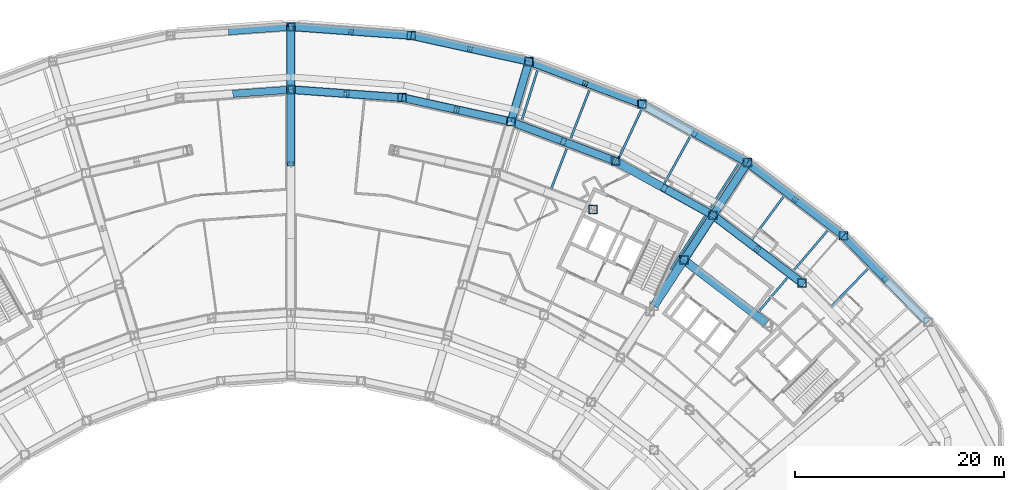
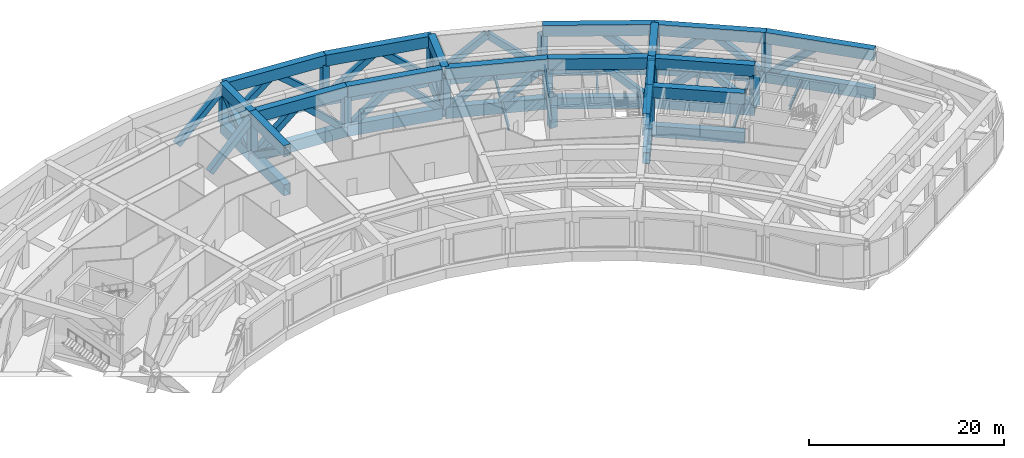
# One storey, part 7 of 30: 46 beams, 40 members.
"""IFC4 building model written with IfcOpenShell, lengths in metres."""

from ifc_helpers import new_model, si_unit, direction, frame, origin, origin_2d, place, context, subcontext, project, spatial, hollow_rectangle, i_section, extrude, material, material_profile, profile_set, type_object, element, save


model = new_model("IFC4")

# Units and contexts
model_context = context("Model", 3, precision=1e-05, world=origin(), true_north=direction((0.0, 1.0)))
body_context = subcontext(model_context, "Body", "Model", "MODEL_VIEW")
ifc_project = project(units=[si_unit("LENGTHUNIT", "METRE"), si_unit("AREAUNIT", "SQUARE_METRE"), si_unit("VOLUMEUNIT", "CUBIC_METRE"), si_unit("PLANEANGLEUNIT", "RADIAN"), si_unit("MASSUNIT", "GRAM", prefix="KILO")], contexts=[model_context])

# Site, building, storey
site_placement = place(None, origin())
site = spatial("IfcSite", under=ifc_project, at=site_placement, CompositionType="ELEMENT")
building_placement = place(site_placement, origin())
building = spatial("IfcBuilding", under=site, at=building_placement, Name="Tuul Gate Civic Tower", CompositionType="ELEMENT")
storey_placement = place(building_placement, frame((0.0, 0.0, 26.699951171875)))
storey = spatial("IfcBuildingStorey", under=building, at=storey_placement, Name="Plant and refuge floor 1", CompositionType="ELEMENT", Elevation=26.699951171875)

# Beams
ifc_material_1 = material(Name="Steel S355", Category="steel")
ifc_material_profile_1 = material_profile(ifc_material_1, i_section(OverallWidth=0.199951171875, OverallDepth=0.5, WebThickness=0.010009765625, FlangeThickness=0.01611328125, at=origin_2d()), Name="PG500x200x10x16")
ifc_profile_set_1 = profile_set([ifc_material_profile_1], Name="Steel S355")
beam_type_1 = type_object("IfcBeamType", Name="STR-FLOOR BEAM-PG500x200x10x16", PredefinedType="BEAM", material=ifc_profile_set_1)
beam_1_placement = place(storey_placement, frame((51.658935546875, -6.90869140625, -0.64990234375), z_axis=(0.697368388305, 0.716712865095, 0.0), x_axis=(-0.716712865095, 0.697368388305, 0.0)))
element("IfcBeam", 1, at=beam_1_placement, inside=storey, type_object=beam_type_1, Name="Floor beam", PredefinedType="BEAM", context=body_context, shape_type="SweptSolid", body=[
    extrude(i_section(OverallWidth=0.199951171875, OverallDepth=0.5, WebThickness=0.010009765625, FlangeThickness=0.01611328125, at=origin_2d()), origin(), (0.0, 0.0, 1.0), 5.30078125),
])
beam_2_placement = place(storey_placement, frame((44.730224609375, -7.3896484375, -0.64990234375), z_axis=(0.647711132398, 0.761886007857, 0.0), x_axis=(-0.761886007857, 0.647711132398, 0.0)))
element("IfcBeam", 2, at=beam_2_placement, inside=storey, type_object=beam_type_1, Name="Floor beam", PredefinedType="BEAM", context=body_context, shape_type="SweptSolid", body=[
    extrude(i_section(OverallWidth=0.199951171875, OverallDepth=0.5, WebThickness=0.010009765625, FlangeThickness=0.01611328125, at=origin_2d()), origin(), (0.0, 0.0, 1.0), 4.406982421875),
])
beam_3_placement = place(storey_placement, frame((48.038818359375, -3.498046875, -0.64990234375), z_axis=(0.647732544888, 0.761867803686, 0.0), x_axis=(-0.761867803686, 0.647732544888, 0.0)))
element("IfcBeam", 3, at=beam_3_placement, inside=storey, type_object=beam_type_1, Name="Floor beam", PredefinedType="BEAM", context=body_context, shape_type="SweptSolid", body=[
    extrude(i_section(OverallWidth=0.199951171875, OverallDepth=0.5, WebThickness=0.010009765625, FlangeThickness=0.01611328125, at=origin_2d()), origin(), (0.0, 0.0, 1.0), 5.306884765625),
])
beam_4_placement = place(storey_placement, frame((44.08154296875, -0.4853515625, -0.64990234375), z_axis=(0.595191196692, 0.803584120911, 0.0), x_axis=(-0.803584120911, 0.595191196692, 0.0)))
element("IfcBeam", 4, at=beam_4_placement, inside=storey, type_object=beam_type_1, Name="Floor beam", PredefinedType="BEAM", context=body_context, shape_type="SweptSolid", body=[
    extrude(i_section(OverallWidth=0.199951171875, OverallDepth=0.5, WebThickness=0.010009765625, FlangeThickness=0.01611328125, at=origin_2d()), origin(), (0.0, 0.0, 1.0), 5.300048828125),
])
beam_5_placement = place(storey_placement, frame((36.356201171875, -3.329833984375, -0.64990234375), z_axis=(0.539994315746, 0.841668663407, 0.0), x_axis=(-0.841668663407, 0.539994315746, 0.0)))
element("IfcBeam", 5, at=beam_5_placement, inside=storey, type_object=beam_type_1, Name="Floor beam", PredefinedType="BEAM", context=body_context, shape_type="SweptSolid", body=[
    extrude(i_section(OverallWidth=0.199951171875, OverallDepth=0.5, WebThickness=0.010009765625, FlangeThickness=0.01611328125, at=origin_2d()), origin(), (0.0, 0.0, 1.0), 6.17724609375),
])
beam_6_placement = place(storey_placement, frame((40.070556640625, 2.4599609375, -0.64990234375), z_axis=(0.539974357861, 0.841681467571, 0.0), x_axis=(-0.841681467571, 0.539974357861, 0.0)))
element("IfcBeam", 6, at=beam_6_placement, inside=storey, type_object=beam_type_1, Name="Floor beam", PredefinedType="BEAM", context=body_context, shape_type="SweptSolid", body=[
    extrude(i_section(OverallWidth=0.199951171875, OverallDepth=0.5, WebThickness=0.010009765625, FlangeThickness=0.01611328125, at=origin_2d()), origin(), (0.0, 0.0, 1.0), 5.310791015625),
])
beam_7_placement = place(storey_placement, frame((35.71826171875, 4.872314453125, -0.64990234375), z_axis=(0.482330703826, 0.87598920778, 0.0), x_axis=(-0.87598920778, 0.482330703826, 0.0)))
element("IfcBeam", 7, at=beam_7_placement, inside=storey, type_object=beam_type_1, Name="Floor beam", PredefinedType="BEAM", context=body_context, shape_type="SweptSolid", body=[
    extrude(i_section(OverallWidth=0.199951171875, OverallDepth=0.5, WebThickness=0.010009765625, FlangeThickness=0.01611328125, at=origin_2d()), origin(), (0.0, 0.0, 1.0), 5.300048828125),
])
beam_8_placement = place(storey_placement, frame((31.3642578125, 7.28564453125, -0.64990234375), z_axis=(0.422508103945, 0.90635914631, 0.0), x_axis=(-0.90635914631, 0.422508103945, 0.0)))
element("IfcBeam", 8, at=beam_8_placement, inside=storey, type_object=beam_type_1, Name="Floor beam", PredefinedType="BEAM", context=body_context, shape_type="SweptSolid", body=[
    extrude(i_section(OverallWidth=0.199951171875, OverallDepth=0.5, WebThickness=0.010009765625, FlangeThickness=0.01611328125, at=origin_2d()), origin(), (0.0, 0.0, 1.0), 5.313232421875),
])
beam_9_placement = place(storey_placement, frame((24.877197265625, 4.3134765625, -0.64990234375), z_axis=(0.36076682718, 0.932656043998, 0.0), x_axis=(-0.932656043998, 0.36076682718, 0.0)))
element("IfcBeam", 9, at=beam_9_placement, inside=storey, type_object=beam_type_1, Name="Floor beam", PredefinedType="BEAM", context=body_context, shape_type="SweptSolid", body=[
    extrude(i_section(OverallWidth=0.199951171875, OverallDepth=0.5, WebThickness=0.010009765625, FlangeThickness=0.01611328125, at=origin_2d()), origin(), (0.0, 0.0, 1.0), 4.400146484375),
])
beam_10_placement = place(storey_placement, frame((26.717041015625, 9.070068359375, -0.64990234375), z_axis=(0.360796386146, 0.932644609561, 0.0), x_axis=(-0.932644609561, 0.360796386146, 0.0)))
element("IfcBeam", 10, at=beam_10_placement, inside=storey, type_object=beam_type_1, Name="Floor beam", PredefinedType="BEAM", context=body_context, shape_type="SweptSolid", body=[
    extrude(i_section(OverallWidth=0.199951171875, OverallDepth=0.5, WebThickness=0.010009765625, FlangeThickness=0.01611328125, at=origin_2d()), origin(), (0.0, 0.0, 1.0), 5.30029296875),
])
beam_11_placement = place(storey_placement, frame((22.06396484375, 10.829833984375, -0.64990234375), z_axis=(0.29741870378, 0.954747146967, 0.0), x_axis=(-0.954747146967, 0.29741870378, 0.0)))
element("IfcBeam", 11, at=beam_11_placement, inside=storey, type_object=beam_type_1, Name="Floor beam", PredefinedType="BEAM", context=body_context, shape_type="SweptSolid", body=[
    extrude(i_section(OverallWidth=0.199951171875, OverallDepth=0.5, WebThickness=0.010009765625, FlangeThickness=0.01611328125, at=origin_2d()), origin(), (0.0, 0.0, 1.0), 5.309326171875),
])
ifc_material_2 = material(Name="Steel S460", Category="steel")
ifc_material_profile_2 = material_profile(ifc_material_2, hollow_rectangle(XDim=0.800048828125, YDim=1.39990234375, WallThickness=0.0400390625, at=origin_2d()), Name="BOX1400x800x40")
ifc_profile_set_2 = profile_set([ifc_material_profile_2], Name="Steel S460")
beam_type_2 = type_object("IfcBeamType", Name="STR-TRANSFER TRUSS CHORD-BOX1400x800x40", PredefinedType="BEAM", material=ifc_profile_set_2)
for number, where, z_axis, x_axis, name in (
    (12, (22.7919921875, 16.594970703125, -1.099853515625), (-0.285183912721, -0.95847281439, 0.0), (0.95847281439, -0.285183912721, 0.0), "Radial truss bottom chord"),
    (13, (22.7919921875, 16.594970703125, 3.800048828125), (-0.285183912721, -0.95847281439, 0.0), (0.95847281439, -0.285183912721, 0.0), "Radial truss top chord"),
):
    element("IfcBeam", number, at=place(storey_placement, frame(where, z_axis=z_axis, x_axis=x_axis)), inside=storey, type_object=beam_type_2, Name=name, PredefinedType="BEAM", context=body_context, shape_type="SweptSolid", body=[
        extrude(hollow_rectangle(XDim=0.800048828125, YDim=1.39990234375, WallThickness=0.0400390625, at=origin_2d()), origin(), (0.0, 0.0, 1.0), 6.015625),
    ])
beam_12_placement = place(storey_placement, frame((0.0, 19.9140625, -1.099853515625), z_axis=(0.0, -1.0, 0.0), x_axis=(1.0, 0.0, 0.0)))
element("IfcBeam", 14, at=beam_12_placement, inside=storey, type_object=beam_type_2, Name="Radial truss bottom chord", PredefinedType="BEAM", context=body_context, shape_type="SweptSolid", body=[
    extrude(hollow_rectangle(XDim=0.800048828125, YDim=1.39990234375, WallThickness=0.0400390625, at=origin_2d()), origin(), (0.0, 0.0, 1.0), 6.01611328125),
])
beam_13_placement = place(storey_placement, frame((0.0, 13.89794921875, -1.099853515625), z_axis=(0.0, -1.0, 0.0), x_axis=(1.0, 0.0, 0.0)))
element("IfcBeam", 15, at=beam_13_placement, inside=storey, type_object=beam_type_2, Name="Radial truss bottom chord", PredefinedType="BEAM", context=body_context, shape_type="SweptSolid", body=[
    extrude(hollow_rectangle(XDim=0.800048828125, YDim=1.39990234375, WallThickness=0.0400390625, at=origin_2d()), origin(), (0.0, 0.0, 1.0), 7.1181640625),
])
beam_14_placement = place(storey_placement, frame((0.0, 19.9140625, 3.800048828125), z_axis=(0.0, -1.0, 0.0), x_axis=(1.0, 0.0, 0.0)))
element("IfcBeam", 16, at=beam_14_placement, inside=storey, type_object=beam_type_2, Name="Radial truss top chord", PredefinedType="BEAM", context=body_context, shape_type="SweptSolid", body=[
    extrude(hollow_rectangle(XDim=0.800048828125, YDim=1.39990234375, WallThickness=0.0400390625, at=origin_2d()), origin(), (0.0, 0.0, 1.0), 6.01611328125),
])
beam_15_placement = place(storey_placement, frame((0.0, 13.89794921875, 3.800048828125), z_axis=(0.0, -1.0, 0.0), x_axis=(1.0, 0.0, 0.0)))
element("IfcBeam", 17, at=beam_15_placement, inside=storey, type_object=beam_type_2, Name="Radial truss top chord", PredefinedType="BEAM", context=body_context, shape_type="SweptSolid", body=[
    extrude(hollow_rectangle(XDim=0.800048828125, YDim=1.39990234375, WallThickness=0.0400390625, at=origin_2d()), origin(), (0.0, 0.0, 1.0), 7.1181640625),
])
beam_16_placement = place(storey_placement, frame((43.69091796875, 6.9130859375, -1.099853515625), z_axis=(-0.546704708955, -0.837325481045, 0.0), x_axis=(0.837325481045, -0.546704708955, 0.0)))
element("IfcBeam", 18, at=beam_16_placement, inside=storey, type_object=beam_type_2, Name="Radial truss bottom chord", PredefinedType="BEAM", context=body_context, shape_type="SweptSolid", body=[
    extrude(hollow_rectangle(XDim=0.800048828125, YDim=1.39990234375, WallThickness=0.0400390625, at=origin_2d()), origin(), (0.0, 0.0, 1.0), 6.015625),
])
beam_17_placement = place(storey_placement, frame((40.402099609375, 1.8759765625, -1.099853515625), z_axis=(-0.546675507761, -0.837344546298, 0.0), x_axis=(0.837344546298, -0.546675507761, 0.0)))
element("IfcBeam", 19, at=beam_17_placement, inside=storey, type_object=beam_type_2, Name="Radial truss bottom chord", PredefinedType="BEAM", context=body_context, shape_type="SweptSolid", body=[
    extrude(hollow_rectangle(XDim=0.800048828125, YDim=1.39990234375, WallThickness=0.0400390625, at=origin_2d()), origin(), (0.0, 0.0, 1.0), 5.113525390625),
])
beam_18_placement = place(storey_placement, frame((37.606689453125, -2.40576171875, -1.099853515625), z_axis=(-0.546723618195, -0.83731313456, 0.0), x_axis=(0.83731313456, -0.546723618195, 0.0)))
element("IfcBeam", 20, at=beam_18_placement, inside=storey, type_object=beam_type_2, Name="Radial truss bottom chord", PredefinedType="BEAM", context=body_context, shape_type="SweptSolid", body=[
    extrude(hollow_rectangle(XDim=0.800048828125, YDim=1.39990234375, WallThickness=0.0400390625, at=origin_2d()), origin(), (0.0, 0.0, 1.0), 5.243408203125),
])
beam_19_placement = place(storey_placement, frame((43.69091796875, 6.9130859375, 3.800048828125), z_axis=(-0.546704708955, -0.837325481045, 0.0), x_axis=(0.837325481045, -0.546704708955, 0.0)))
element("IfcBeam", 21, at=beam_19_placement, inside=storey, type_object=beam_type_2, Name="Radial truss top chord", PredefinedType="BEAM", context=body_context, shape_type="SweptSolid", body=[
    extrude(hollow_rectangle(XDim=0.800048828125, YDim=1.39990234375, WallThickness=0.0400390625, at=origin_2d()), origin(), (0.0, 0.0, 1.0), 6.015625),
])
beam_20_placement = place(storey_placement, frame((40.402099609375, 1.8759765625, 3.800048828125), z_axis=(-0.546675507761, -0.837344546298, 0.0), x_axis=(0.837344546298, -0.546675507761, 0.0)))
element("IfcBeam", 22, at=beam_20_placement, inside=storey, type_object=beam_type_2, Name="Radial truss top chord", PredefinedType="BEAM", context=body_context, shape_type="SweptSolid", body=[
    extrude(hollow_rectangle(XDim=0.800048828125, YDim=1.39990234375, WallThickness=0.0400390625, at=origin_2d()), origin(), (0.0, 0.0, 1.0), 5.113525390625),
])
beam_21_placement = place(storey_placement, frame((37.606689453125, -2.40576171875, 3.800048828125), z_axis=(-0.546723618195, -0.83731313456, 0.0), x_axis=(0.83731313456, -0.546723618195, 0.0)))
element("IfcBeam", 23, at=beam_21_placement, inside=storey, type_object=beam_type_2, Name="Radial truss top chord", PredefinedType="BEAM", context=body_context, shape_type="SweptSolid", body=[
    extrude(hollow_rectangle(XDim=0.800048828125, YDim=1.39990234375, WallThickness=0.0400390625, at=origin_2d()), origin(), (0.0, 0.0, 1.0), 5.243408203125),
])
for number, where, z_axis, x_axis, name in (
    (24, (60.9609375, -8.327880859375, -1.099853515625), (-0.700020251799, 0.714122991558, 0.0), (-0.714122991558, -0.700020251799, 0.0), "Belt truss bottom chord"),
    (25, (60.9609375, -8.327880859375, 3.800048828125), (-0.700020251799, 0.714122991558, 0.0), (-0.714122991558, -0.700020251799, 0.0), "Belt truss top chord"),
    (26, (52.8779296875, -0.08203125, -1.099853515625), (-0.795619999011, 0.605796019444, 0.0), (-0.605796019444, -0.795619999011, 0.0), "Belt truss bottom chord"),
    (27, (52.8779296875, -0.08203125, 3.800048828125), (-0.795619999011, 0.605796019444, 0.0), (-0.605796019444, -0.795619999011, 0.0), "Belt truss top chord"),
):
    element("IfcBeam", number, at=place(storey_placement, frame(where, z_axis=z_axis, x_axis=x_axis)), inside=storey, type_object=beam_type_2, Name=name, PredefinedType="BEAM", context=body_context, shape_type="SweptSolid", body=[
        extrude(hollow_rectangle(XDim=0.800048828125, YDim=1.39990234375, WallThickness=0.0400390625, at=origin_2d()), origin(), (0.0, 0.0, 1.0), 11.546875),
    ])
for number, where, z_axis, x_axis, name in (
    (28, (43.69091796875, 6.9130859375, -1.099853515625), (-0.874619652569, 0.484809718694, 0.0), (-0.484809718694, -0.874619652569, 0.0), "Belt truss bottom chord"),
    (29, (43.69091796875, 6.9130859375, 3.800048828125), (-0.874619652569, 0.484809718694, 0.0), (-0.484809718694, -0.874619652569, 0.0), "Belt truss top chord"),
):
    element("IfcBeam", number, at=place(storey_placement, frame(where, z_axis=z_axis, x_axis=x_axis)), inside=storey, type_object=beam_type_2, Name=name, PredefinedType="BEAM", context=body_context, shape_type="SweptSolid", body=[
        extrude(hollow_rectangle(XDim=0.800048828125, YDim=1.39990234375, WallThickness=0.0400390625, at=origin_2d()), origin(), (0.0, 0.0, 1.0), 11.546630859375),
    ])
for number, where, z_axis, x_axis, name in (
    (30, (22.7919921875, 16.594970703125, -1.099853515625), (-0.976564178288, 0.215226405638, 0.0), (-0.215226405638, -0.976564178288, 0.0), "Belt truss bottom chord"),
    (31, (22.7919921875, 16.594970703125, 3.800048828125), (-0.976564178288, 0.215226405638, 0.0), (-0.215226405638, -0.976564178288, 0.0), "Belt truss top chord"),
    (32, (33.592041015625, 12.510986328125, -1.099853515625), (-0.935358493224, 0.353701129703, 0.0), (-0.353701129703, -0.935358493224, 0.0), "Belt truss bottom chord"),
    (33, (11.51611328125, 19.080078125, -1.099853515625), (-0.997388020129, 0.072229753588, 0.0), (-0.072229753588, -0.997388020129, 0.0), "Belt truss bottom chord"),
    (34, (11.51611328125, 19.080078125, 3.800048828125), (-0.997388020129, 0.072229753588, 0.0), (-0.072229753588, -0.997388020129, 0.0), "Belt truss top chord"),
):
    element("IfcBeam", number, at=place(storey_placement, frame(where, z_axis=z_axis, x_axis=x_axis)), inside=storey, type_object=beam_type_2, Name=name, PredefinedType="BEAM", context=body_context, shape_type="SweptSolid", body=[
        extrude(hollow_rectangle(XDim=0.800048828125, YDim=1.39990234375, WallThickness=0.0400390625, at=origin_2d()), origin(), (0.0, 0.0, 1.0), 11.54638671875),
    ])
for number, where, z_axis, x_axis, name in (
    (35, (20.685302734375, 10.915283203125, -1.099853515625), (-0.976569533263, 0.215202106639, 0.0), (-0.215202106639, -0.976569533263, 0.0), "Belt truss bottom chord"),
    (36, (20.685302734375, 10.915283203125, 3.800048828125), (-0.976569533263, 0.215202106639, 0.0), (-0.215202106639, -0.976569533263, 0.0), "Belt truss top chord"),
):
    element("IfcBeam", number, at=place(storey_placement, frame(where, z_axis=z_axis, x_axis=x_axis)), inside=storey, type_object=beam_type_2, Name=name, PredefinedType="BEAM", context=body_context, shape_type="SweptSolid", body=[
        extrude(hollow_rectangle(XDim=0.800048828125, YDim=1.39990234375, WallThickness=0.0400390625, at=origin_2d()), origin(), (0.0, 0.0, 1.0), 10.277099609375),
    ])
for number, where, z_axis, x_axis, name in (
    (37, (48.89794921875, -4.592041015625, -1.099853515625), (-0.795657438141, 0.605746845746, 0.0), (-0.605746845746, -0.795657438141, 0.0), "Belt truss bottom chord"),
    (38, (48.89794921875, -4.592041015625, 3.800048828125), (-0.795657438141, 0.605746845746, 0.0), (-0.605746845746, -0.795657438141, 0.0), "Belt truss top chord"),
):
    element("IfcBeam", number, at=place(storey_placement, frame(where, z_axis=z_axis, x_axis=x_axis)), inside=storey, type_object=beam_type_2, Name=name, PredefinedType="BEAM", context=body_context, shape_type="SweptSolid", body=[
        extrude(hollow_rectangle(XDim=0.800048828125, YDim=1.39990234375, WallThickness=0.0400390625, at=origin_2d()), origin(), (0.0, 0.0, 1.0), 10.276611328125),
    ])
for number, where, z_axis, x_axis, name in (
    (39, (31.06396484375, 7.052001953125, -1.099853515625), (-0.935341677357, 0.353745595873, 0.0), (-0.353745595873, -0.935341677357, 0.0), "Belt truss bottom chord"),
    (40, (31.06396484375, 7.052001953125, 3.800048828125), (-0.935341677357, 0.353745595873, 0.0), (-0.353745595873, -0.935341677357, 0.0), "Belt truss top chord"),
):
    element("IfcBeam", number, at=place(storey_placement, frame(where, z_axis=z_axis, x_axis=x_axis)), inside=storey, type_object=beam_type_2, Name=name, PredefinedType="BEAM", context=body_context, shape_type="SweptSolid", body=[
        extrude(hollow_rectangle(XDim=0.800048828125, YDim=1.39990234375, WallThickness=0.0400390625, at=origin_2d()), origin(), (0.0, 0.0, 1.0), 10.677490234375),
    ])
for number, where, z_axis, x_axis, name in (
    (41, (10.64892578125, 13.126953125, -1.099853515625), (-0.997388269769, 0.072226306339, 0.0), (-0.072226306339, -0.997388269769, 0.0), "Belt truss bottom chord"),
    (42, (10.64892578125, 13.126953125, 3.800048828125), (-0.997388269769, 0.072226306339, 0.0), (-0.072226306339, -0.997388269769, 0.0), "Belt truss top chord"),
):
    element("IfcBeam", number, at=place(storey_placement, frame(where, z_axis=z_axis, x_axis=x_axis)), inside=storey, type_object=beam_type_2, Name=name, PredefinedType="BEAM", context=body_context, shape_type="SweptSolid", body=[
        extrude(hollow_rectangle(XDim=0.800048828125, YDim=1.39990234375, WallThickness=0.0400390625, at=origin_2d()), origin(), (0.0, 0.0, 1.0), 10.27587890625),
    ])
for number, where, z_axis, x_axis, name in (
    (43, (40.402099609375, 1.8759765625, -1.099853515625), (-0.874627142999, 0.484796205358, 0.0), (-0.484796205358, -0.874627142999, 0.0), "Belt truss bottom chord"),
    (44, (40.402099609375, 1.8759765625, 3.800048828125), (-0.874627142999, 0.484796205358, 0.0), (-0.484796205358, -0.874627142999, 0.0), "Belt truss top chord"),
):
    element("IfcBeam", number, at=place(storey_placement, frame(where, z_axis=z_axis, x_axis=x_axis)), inside=storey, type_object=beam_type_2, Name=name, PredefinedType="BEAM", context=body_context, shape_type="SweptSolid", body=[
        extrude(hollow_rectangle(XDim=0.800048828125, YDim=1.39990234375, WallThickness=0.0400390625, at=origin_2d()), origin(), (0.0, 0.0, 1.0), 10.6767578125),
    ])
for number, where, z_axis, x_axis, name in (
    (45, (37.606689453125, -2.40576171875, -1.099853515625), (0.795627920499, -0.605785615645, 0.0), (0.605785615645, 0.795627920499, 0.0), "Belt truss bottom chord"),
    (46, (37.606689453125, -2.40576171875, 3.800048828125), (0.795627920499, -0.605785615645, 0.0), (0.605785615645, 0.795627920499, 0.0), "Belt truss top chord"),
):
    element("IfcBeam", number, at=place(storey_placement, frame(where, z_axis=z_axis, x_axis=x_axis)), inside=storey, type_object=beam_type_2, Name=name, PredefinedType="BEAM", context=body_context, shape_type="SweptSolid", body=[
        extrude(hollow_rectangle(XDim=0.800048828125, YDim=1.39990234375, WallThickness=0.0400390625, at=origin_2d()), origin(), (0.0, 0.0, 1.0), 9.938232421875),
    ])

# Members
ifc_material_3 = material(Name="Steel S355", Category="steel")
ifc_material_profile_3 = material_profile(ifc_material_3, hollow_rectangle(XDim=0.699951171875, YDim=0.699951171875, WallThickness=0.031982421875, at=origin_2d()), Name="BOX700x700x32")
ifc_profile_set_3 = profile_set([ifc_material_profile_3], Name="Steel S355")
member_type_1 = type_object("IfcMemberType", Name="STR-TRANSFER TRUSS DIAGONAL-BOX700x700x32", PredefinedType="BRACE", material=ifc_profile_set_3)
member_1_placement = place(storey_placement, frame((21.0751953125, 10.825439453125, -1.10302734375), z_axis=(0.221146201874, 0.743135460525, 0.631541007938), x_axis=(-0.958460916824, 0.285223896126, 0.0)))
element("IfcMember", 47, at=member_1_placement, inside=storey, type_object=member_type_1, Name="Radial truss web", PredefinedType="BRACE", context=body_context, shape_type="SweptSolid", body=[
    extrude(hollow_rectangle(XDim=0.699951171875, YDim=0.699951171875, WallThickness=0.031982421875, at=origin_2d()), origin(), (0.0, 0.0, 1.0), 7.768798828125),
])
member_2_placement = place(storey_placement, frame((0.0, 13.89404296875, -1.10302734375), z_axis=(0.0, 0.775369474364, 0.631507860778), x_axis=(-1.0, 0.0, 0.0)))
element("IfcMember", 48, at=member_2_placement, inside=storey, type_object=member_type_1, Name="Radial truss web", PredefinedType="BRACE", context=body_context, shape_type="SweptSolid", body=[
    extrude(hollow_rectangle(XDim=0.699951171875, YDim=0.699951171875, WallThickness=0.031982421875, at=origin_2d()), origin(), (0.0, 0.0, 1.0), 7.76904296875),
])
member_3_placement = place(storey_placement, frame((0.0, 13.902099609375, -1.102783203125), z_axis=(0.0, -0.82370090634, 0.567024529359), x_axis=(1.0, 0.0, 0.0)))
element("IfcMember", 49, at=member_3_placement, inside=storey, type_object=member_type_1, Name="Radial truss web", PredefinedType="BRACE", context=body_context, shape_type="SweptSolid", body=[
    extrude(hollow_rectangle(XDim=0.699951171875, YDim=0.699951171875, WallThickness=0.031982421875, at=origin_2d()), origin(), (0.0, 0.0, 1.0), 8.65185546875),
])
member_4_placement = place(storey_placement, frame((43.693115234375, 6.916259765625, -1.10302734375), z_axis=(-0.423872368114, -0.649227406054, 0.631534631495), x_axis=(0.837337147265, -0.546686840714, 0.0)))
element("IfcMember", 50, at=member_4_placement, inside=storey, type_object=member_type_1, Name="Radial truss web", PredefinedType="BRACE", context=body_context, shape_type="SweptSolid", body=[
    extrude(hollow_rectangle(XDim=0.699951171875, YDim=0.699951171875, WallThickness=0.031982421875, at=origin_2d()), origin(), (0.0, 0.0, 1.0), 7.768798828125),
])
member_5_placement = place(storey_placement, frame((37.604736328125, -2.40869140625, -1.103515625), z_axis=(0.394708079251, 0.604558109873, 0.69189234998), x_axis=(-0.837337318413, 0.546686578574, 0.0)))
element("IfcMember", 51, at=member_5_placement, inside=storey, type_object=member_type_1, Name="Radial truss web", PredefinedType="BRACE", context=body_context, shape_type="SweptSolid", body=[
    extrude(hollow_rectangle(XDim=0.699951171875, YDim=0.699951171875, WallThickness=0.031982421875, at=origin_2d()), origin(), (0.0, 0.0, 1.0), 7.092041015625),
])
for number, where, z_axis, x_axis, name in (
    (52, (52.875244140625, -0.079345703125, -1.103271484375), (0.533710589686, -0.544464652002, 0.647079013086), (0.714124166661, 0.70001905302, 0.0), "Belt truss web"),
    (53, (52.881103515625, -0.084228515625, -1.103271484375), (-0.606611401475, 0.461848935391, 0.647084359631), (-0.605768341223, -0.795641072828, 0.0), "Belt truss web"),
    (54, (43.68798828125, 6.915283203125, -1.103271484375), (0.606602380663, -0.461874264894, 0.647074736953), (0.605795074613, 0.795620718418, 0.0), "Belt truss web"),
    (55, (43.6943359375, 6.9111328125, -1.103271484375), (-0.666822265176, 0.369633974129, 0.647084841296), (-0.484818004915, -0.874615059389, 0.0), "Belt truss web"),
):
    element("IfcMember", number, at=place(storey_placement, frame(where, z_axis=z_axis, x_axis=x_axis)), inside=storey, type_object=member_type_1, Name=name, PredefinedType="BRACE", context=body_context, shape_type="SweptSolid", body=[
        extrude(hollow_rectangle(XDim=0.699951171875, YDim=0.699951171875, WallThickness=0.031982421875, at=origin_2d()), origin(), (0.0, 0.0, 1.0), 7.58251953125),
    ])
member_6_placement = place(storey_placement, frame((22.795654296875, 16.59423828125, -1.103271484375), z_axis=(-0.744536364315, 0.164085858779, 0.647102335927), x_axis=(-0.215221904914, -0.976565170199, 0.0)))
element("IfcMember", 56, at=member_6_placement, inside=storey, type_object=member_type_1, Name="Belt truss web", PredefinedType="BRACE", context=body_context, shape_type="SweptSolid", body=[
    extrude(hollow_rectangle(XDim=0.699951171875, YDim=0.699951171875, WallThickness=0.031982421875, at=origin_2d()), origin(), (0.0, 0.0, 1.0), 7.582275390625),
])
member_7_placement = place(storey_placement, frame((11.51220703125, 19.080810546875, -1.103271484375), z_axis=(0.744550713764, -0.164081925157, 0.647086822977), x_axis=(0.21521302871, 0.976567126353, 0.0)))
element("IfcMember", 57, at=member_7_placement, inside=storey, type_object=member_type_1, Name="Belt truss web", PredefinedType="BRACE", context=body_context, shape_type="SweptSolid", body=[
    extrude(hollow_rectangle(XDim=0.699951171875, YDim=0.699951171875, WallThickness=0.031982421875, at=origin_2d()), origin(), (0.0, 0.0, 1.0), 7.58251953125),
])
for number, where, z_axis, x_axis, name in (
    (58, (33.595458984375, 12.509765625, -1.103271484375), (-0.713114664353, 0.269667915021, 0.647106398587), (-0.353709364718, -0.935355379153, 0.0), "Belt truss web"),
    (59, (22.788330078125, 16.596435546875, -1.103271484375), (0.713130488645, -0.269661723063, 0.647091540108), (0.353695392382, 0.935360662743, 0.0), "Belt truss web"),
    (60, (11.519775390625, 19.079833984375, -1.103271484375), (-0.760411546979, 0.055060287319, 0.647103271496), (-0.072219460914, -0.99738876546, 0.0), "Belt truss web"),
    (61, (-0.00390625, 19.914306640625, -1.103271484375), (0.760411546979, -0.055060287319, 0.647103271496), (0.072219460914, 0.99738876546, 0.0), "Belt truss web"),
    (62, (-5.76171875, 19.496826171875, -1.103271484375), (0.760411546979, 0.055060287319, 0.647103271496), (-0.072219460914, 0.99738876546, 0.0), "Belt truss web"),
):
    element("IfcMember", number, at=place(storey_placement, frame(where, z_axis=z_axis, x_axis=x_axis)), inside=storey, type_object=member_type_1, Name=name, PredefinedType="BRACE", context=body_context, shape_type="SweptSolid", body=[
        extrude(hollow_rectangle(XDim=0.699951171875, YDim=0.699951171875, WallThickness=0.031982421875, at=origin_2d()), origin(), (0.0, 0.0, 1.0), 7.582275390625),
    ])
for number, where, z_axis, x_axis, name in (
    (63, (21.08056640625, 10.828125, -1.103271484375), (-0.719491314869, 0.158559925511, 0.676159003378), (-0.215213699156, -0.976566978602, 0.0), "Belt truss web"),
    (64, (10.6455078125, 13.127685546875, -1.103271484375), (0.719495152581, -0.158527127979, 0.676162609959), (0.215170149679, 0.976576574922, 0.0), "Belt truss web"),
):
    element("IfcMember", number, at=place(storey_placement, frame(where, z_axis=z_axis, x_axis=x_axis)), inside=storey, type_object=member_type_1, Name=name, PredefinedType="BRACE", context=body_context, shape_type="SweptSolid", body=[
        extrude(hollow_rectangle(XDim=0.699951171875, YDim=0.699951171875, WallThickness=0.031982421875, at=origin_2d()), origin(), (0.0, 0.0, 1.0), 7.2568359375),
    ])
for number, where, z_axis, x_axis, name in (
    (65, (48.90087890625, -4.59423828125, -1.103271484375), (-0.58620311722, 0.446280093545, 0.67616564795), (-0.605741863572, -0.795661231126, 0.0), "Belt truss web"),
    (66, (40.399169921875, 1.878173828125, -1.103271484375), (0.586181034166, -0.446288895036, 0.676178983222), (0.605763872928, 0.795644474785, 0.0), "Belt truss web"),
):
    element("IfcMember", number, at=place(storey_placement, frame(where, z_axis=z_axis, x_axis=x_axis)), inside=storey, type_object=member_type_1, Name=name, PredefinedType="BRACE", context=body_context, shape_type="SweptSolid", body=[
        extrude(hollow_rectangle(XDim=0.699951171875, YDim=0.699951171875, WallThickness=0.031982421875, at=origin_2d()), origin(), (0.0, 0.0, 1.0), 7.256591796875),
    ])
member_8_placement = place(storey_placement, frame((26.067138671875, 8.94189453125, -1.103271484375), z_axis=(0.689083888964, -0.26061441355, 0.676197841922), x_axis=(0.353749572017, 0.935340173572, 0.0)))
element("IfcMember", 67, at=member_8_placement, inside=storey, type_object=member_type_1, Name="Belt truss web", PredefinedType="BRACE", context=body_context, shape_type="SweptSolid", body=[
    extrude(hollow_rectangle(XDim=0.699951171875, YDim=0.699951171875, WallThickness=0.031982421875, at=origin_2d()), origin(), (0.0, 0.0, 1.0), 7.25634765625),
])
member_9_placement = place(storey_placement, frame((21.073486328125, 10.830322265625, -1.103271484375), z_axis=(0.689101557489, -0.260608371463, 0.676182164945), x_axis=(0.353734461939, 0.935345888127, 0.0)))
element("IfcMember", 68, at=member_9_placement, inside=storey, type_object=member_type_1, Name="Belt truss web", PredefinedType="BRACE", context=body_context, shape_type="SweptSolid", body=[
    extrude(hollow_rectangle(XDim=0.699951171875, YDim=0.699951171875, WallThickness=0.031982421875, at=origin_2d()), origin(), (0.0, 0.0, 1.0), 7.256591796875),
])
for number, where, z_axis, x_axis, name in (
    (69, (10.652587890625, 13.126708984375, -1.103271484375), (-0.73478648259, 0.05319370983, 0.676209475117), (-0.072204466985, -0.997389851035, 0.0), "Belt truss web"),
    (70, (-0.003662109375, 13.898193359375, -1.103271484375), (0.73478648259, -0.05319370983, 0.676209475117), (0.072204466985, 0.997389851035, 0.0), "Belt truss web"),
    (71, (-5.328125, 13.51220703125, -1.103271484375), (0.73478648259, 0.05319370983, 0.676209475117), (-0.072204466985, 0.997389851035, 0.0), "Belt truss web"),
    (72, (40.4052734375, 1.874267578125, -1.103271484375), (-0.644347977923, 0.357148649452, 0.676210415138), (-0.484789614278, -0.87463079633, 0.0), "Belt truss web"),
):
    element("IfcMember", number, at=place(storey_placement, frame(where, z_axis=z_axis, x_axis=x_axis)), inside=storey, type_object=member_type_1, Name=name, PredefinedType="BRACE", context=body_context, shape_type="SweptSolid", body=[
        extrude(hollow_rectangle(XDim=0.699951171875, YDim=0.699951171875, WallThickness=0.031982421875, at=origin_2d()), origin(), (0.0, 0.0, 1.0), 7.25634765625),
    ])
ifc_material_4 = material(Name="Steel S355", Category="steel")
ifc_material_profile_4 = material_profile(ifc_material_4, hollow_rectangle(XDim=0.800048828125, YDim=0.800048828125, WallThickness=0.034912109375, at=origin_2d()), Name="BOX800x800x35")
ifc_profile_set_4 = profile_set([ifc_material_profile_4], Name="Steel S355")
member_type_2 = type_object("IfcMemberType", Name="STR-TRUSS POST-BOX800x800x35", PredefinedType="POST", material=ifc_profile_set_4)
for number, where, z_axis, x_axis, name in (
    (73, (22.7919921875, 16.594970703125, -0.594970703125), (0.0, 0.0, 1.0), (1.0, 0.0, 0.0), "Radial truss post"),
    (74, (21.076416015625, 10.8291015625, -0.594970703125), (0.0, 0.0, 1.0), (1.0, 0.0, 0.0), "Radial truss post"),
    (75, (0.0, 19.9140625, -0.594970703125), (0.0, 0.0, 1.0), (1.0, 0.0, 0.0), "Radial truss post"),
    (76, (0.0, 13.89794921875, -0.594970703125), (0.0, 0.0, 1.0), (1.0, 0.0, 0.0), "Radial truss post"),
    (77, (43.69091796875, 6.9130859375, -0.594970703125), (0.0, 0.0, 1.0), (1.0, 0.0, 0.0), "Radial truss post"),
    (78, (40.402099609375, 1.8759765625, -0.594970703125), (0.0, 0.0, 1.0), (1.0, 0.0, 0.0), "Radial truss post"),
    (79, (37.606689453125, -2.40576171875, -0.594970703125), (0.0, 0.0, 1.0), (1.0, 0.0, 0.0), "Radial truss post"),
    (80, (52.8779296875, -0.08203125, -0.594970703125), (0.0, 0.0, 1.0), (1.0, 0.0, 0.0), "Belt truss post"),
    (81, (33.592041015625, 12.510986328125, -0.594970703125), (0.0, 0.0, 1.0), (1.0, 0.0, 0.0), "Belt truss post"),
    (82, (11.51611328125, 19.080078125, -0.594970703125), (0.0, 0.0, 1.0), (1.0, 0.0, 0.0), "Belt truss post"),
    (83, (10.64892578125, 13.126953125, -0.594970703125), (0.0, 0.0, 1.0), (1.0, 0.0, 0.0), "Belt truss post"),
    (84, (48.89794921875, -4.592041015625, -0.594970703125), (0.0, 0.0, 1.0), (1.0, 0.0, 0.0), "Belt truss post"),
    (85, (31.06396484375, 7.052001953125, -0.594970703125), (0.0, 0.0, 1.0), (1.0, 0.0, 0.0), "Belt truss post"),
    (86, (28.9140625, 2.4130859375, -0.594970703125), (0.0, 0.0, 1.0), (1.0, 0.0, 0.0), "Belt truss post"),
):
    element("IfcMember", number, at=place(storey_placement, frame(where, z_axis=z_axis, x_axis=x_axis)), inside=storey, type_object=member_type_2, Name=name, PredefinedType="POST", context=body_context, shape_type="SweptSolid", body=[
        extrude(hollow_rectangle(XDim=0.800048828125, YDim=0.800048828125, WallThickness=0.034912109375, at=origin_2d()), origin(), (0.0, 0.0, 1.0), 3.89013671875),
    ])

save(model, "model.ifc")
